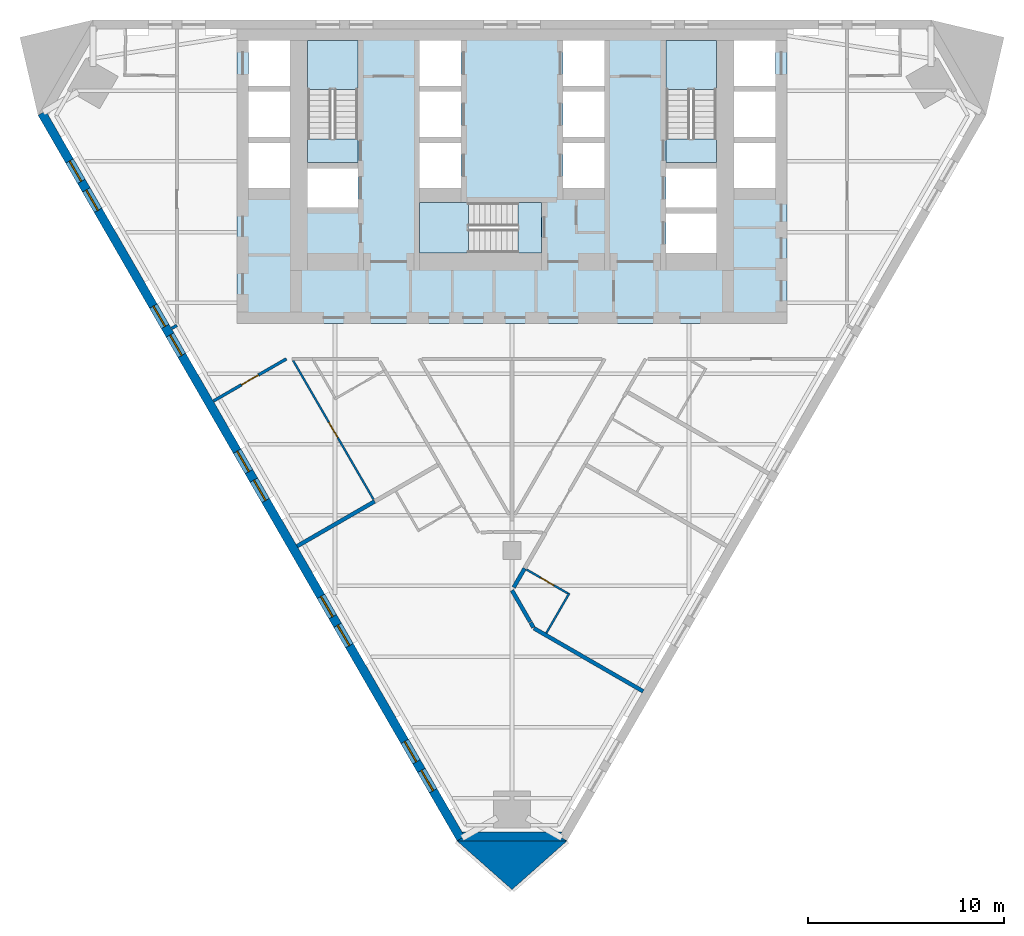
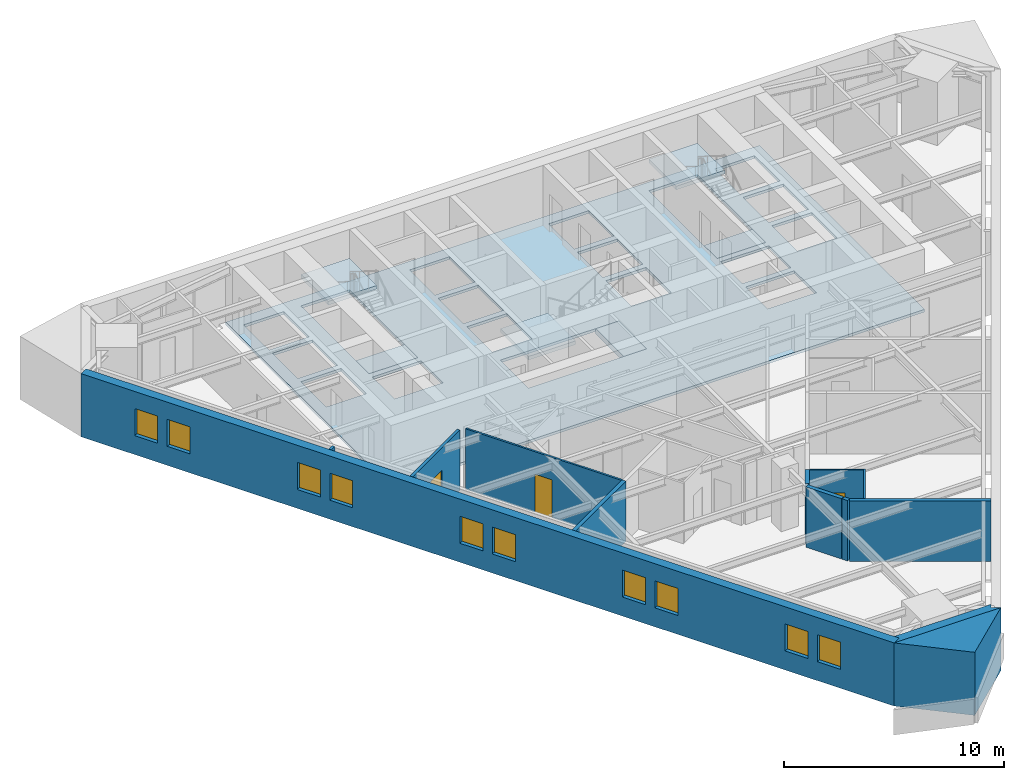
# One storey, part 2 of 9: 13 walls, 10 windows, 7 slabs, 3 doors, 13 openings, 3 elements without a shape of their own.
"""IFC4 building model written with IfcOpenShell, lengths in metres."""

from ifc_helpers import new_model, si_unit, direction, frame, frame_2d, origin, place, context, subcontext, project, spatial, polyline, rectangle, outline, extrude, material, layer, layer_set, type_object, element, fill, aggregate, save


model = new_model("IFC4")

# Units and contexts
model_context = context("Model", 3, precision=1e-05, world=origin(), true_north=direction((0.0, 1.0)))
body_context = subcontext(model_context, "Body", "Model", "MODEL_VIEW")
ifc_project = project(units=[si_unit("LENGTHUNIT", "METRE"), si_unit("AREAUNIT", "SQUARE_METRE"), si_unit("VOLUMEUNIT", "CUBIC_METRE"), si_unit("PLANEANGLEUNIT", "RADIAN"), si_unit("MASSUNIT", "GRAM", prefix="KILO")], contexts=[model_context])

# Site, building, storey
site_placement = place(None, origin())
site = spatial("IfcSite", under=ifc_project, at=site_placement, CompositionType="ELEMENT")
building_placement = place(site_placement, origin())
building = spatial("IfcBuilding", under=site, at=building_placement, Name="Aloe Facet Convention Tower", CompositionType="ELEMENT")
storey_placement = place(building_placement, frame((0.0, 0.0, 106.300048828125)))
storey = spatial("IfcBuildingStorey", under=building, at=storey_placement, Name="L26", CompositionType="ELEMENT", Elevation=106.300048828125)

# Slabs
ifc_material_1 = material(Name="Concrete C70/85", Category="concrete")
ifc_layer_1 = layer(ifc_material_1, 0.14990234375)
ifc_layer_set_1 = layer_set([ifc_layer_1], Name="CR-S-FLOOR150-C7085")
slab_type_1 = type_object("IfcSlabType", Name="CR-S-FLOOR150-C7085", PredefinedType="FLOOR", material=ifc_layer_set_1)
slab_1_placement = place(storey_placement, frame((0.0, 0.0, -0.150146484375)))
element("IfcSlab", 1, at=slab_1_placement, inside=storey, type_object=slab_type_1, Name="Core floor L26", PredefinedType="FLOOR", context=body_context, shape_type="SweptSolid", body=[
    extrude(outline(polyline([(69.300048828125, 134.550048828125), (71.85009765625, 134.550048828125), (72.75, 134.550048828125), (74.699951171875, 134.550048828125), (75.60009765625, 134.550048828125), (77.10009765625, 134.550048828125), (78.0, 134.550048828125), (82.0, 134.550048828125), (82.89990234375, 134.550048828125), (84.39990234375, 134.550048828125), (85.300048828125, 134.550048828125), (87.25, 134.550048828125), (88.14990234375, 134.550048828125), (90.699951171875, 134.550048828125), (91.0, 134.550048828125), (94.0, 134.550048828125), (94.0, 131.949951171875), (94.0, 131.050048828125), (94.0, 129.35009765625), (94.0, 128.449951171875), (94.0, 126.449951171875), (94.0, 125.85009765625), (94.0, 124.949951171875), (94.0, 123.89990234375), (94.0, 122.871337890625), (94.0, 121.821533203125), (94.0, 119.550048828125), (91.300048828125, 119.550048828125), (90.699951171875, 119.550048828125), (87.89990234375, 119.550048828125), (86.85009765625, 119.550048828125), (85.699951171875, 119.550048828125), (84.64990234375, 119.550048828125), (83.699951171875, 119.550048828125), (82.64990234375, 119.550048828125), (81.75, 119.550048828125), (80.699951171875, 119.550048828125), (79.61669921875, 119.550048828125), (78.566650390625, 119.550048828125), (77.4833984375, 119.550048828125), (76.433349609375, 119.550048828125), (75.35009765625, 119.550048828125), (74.300048828125, 119.550048828125), (73.14990234375, 119.550048828125), (72.10009765625, 119.550048828125), (69.300048828125, 119.550048828125), (68.699951171875, 119.550048828125), (66.0, 119.550048828125), (66.0, 122.523681640625), (66.0, 123.57373046875), (66.0, 125.85009765625), (66.0, 126.449951171875), (66.0, 128.449951171875), (66.0, 129.35009765625), (66.0, 131.050048828125), (66.0, 131.949951171875), (66.0, 134.550048828125), (69.0, 134.550048828125), (69.300048828125, 134.550048828125)]), holes=[polyline([(75.300048828125, 123.14990234375), (80.298828125, 123.14990234375), (81.5, 123.14990234375), (81.5, 125.699951171875), (80.298828125, 125.699951171875), (75.300048828125, 125.699951171875), (75.300048828125, 123.14990234375)]), polyline([(69.60009765625, 125.449951171875), (72.14990234375, 125.449951171875), (72.14990234375, 127.449951171875), (69.60009765625, 127.449951171875), (69.60009765625, 125.449951171875)]), polyline([(66.60009765625, 126.449951171875), (68.699951171875, 126.449951171875), (68.699951171875, 128.75), (66.60009765625, 128.75), (66.60009765625, 126.449951171875)]), polyline([(75.300048828125, 126.449951171875), (77.39990234375, 126.449951171875), (77.39990234375, 128.75), (75.300048828125, 128.75), (75.300048828125, 126.449951171875)]), polyline([(66.60009765625, 129.050048828125), (68.699951171875, 129.050048828125), (68.699951171875, 131.35009765625), (66.60009765625, 131.35009765625), (66.60009765625, 129.050048828125)]), polyline([(75.300048828125, 129.050048828125), (77.39990234375, 129.050048828125), (77.39990234375, 131.35009765625), (75.300048828125, 131.35009765625), (75.300048828125, 129.050048828125)]), polyline([(69.60009765625, 133.949951171875), (69.60009765625, 128.951171875), (69.60009765625, 127.75), (72.14990234375, 127.75), (72.14990234375, 128.951171875), (72.14990234375, 133.949951171875), (69.60009765625, 133.949951171875)]), polyline([(66.60009765625, 133.949951171875), (66.60009765625, 131.64990234375), (68.699951171875, 131.64990234375), (68.699951171875, 133.949951171875), (66.60009765625, 133.949951171875)]), polyline([(75.300048828125, 133.949951171875), (75.300048828125, 131.64990234375), (77.39990234375, 131.64990234375), (77.39990234375, 133.949951171875), (75.300048828125, 133.949951171875)]), polyline([(87.85009765625, 123.14990234375), (90.39990234375, 123.14990234375), (90.39990234375, 125.14990234375), (87.85009765625, 125.14990234375), (87.85009765625, 123.14990234375)]), polyline([(87.85009765625, 125.449951171875), (90.39990234375, 125.449951171875), (90.39990234375, 127.449951171875), (87.85009765625, 127.449951171875), (87.85009765625, 125.449951171875)]), polyline([(82.60009765625, 126.449951171875), (84.699951171875, 126.449951171875), (84.699951171875, 128.75), (82.60009765625, 128.75), (82.60009765625, 126.449951171875)]), polyline([(91.300048828125, 126.449951171875), (93.39990234375, 126.449951171875), (93.39990234375, 128.75), (91.300048828125, 128.75), (91.300048828125, 126.449951171875)]), polyline([(82.60009765625, 129.050048828125), (84.699951171875, 129.050048828125), (84.699951171875, 131.35009765625), (82.60009765625, 131.35009765625), (82.60009765625, 129.050048828125)]), polyline([(91.300048828125, 129.050048828125), (93.39990234375, 129.050048828125), (93.39990234375, 131.35009765625), (91.300048828125, 131.35009765625), (91.300048828125, 129.050048828125)]), polyline([(87.85009765625, 133.949951171875), (87.85009765625, 128.951171875), (87.85009765625, 127.75), (90.39990234375, 127.75), (90.39990234375, 128.951171875), (90.39990234375, 133.949951171875), (87.85009765625, 133.949951171875)]), polyline([(82.60009765625, 133.949951171875), (82.60009765625, 131.64990234375), (84.699951171875, 131.64990234375), (84.699951171875, 133.949951171875), (82.60009765625, 133.949951171875)]), polyline([(91.300048828125, 133.949951171875), (91.300048828125, 131.64990234375), (93.39990234375, 131.64990234375), (93.39990234375, 133.949951171875), (91.300048828125, 133.949951171875)])]), origin(), (0.0, 0.0, 1.0), 0.150146484375),
])
ifc_material_2 = material(Name="Concrete C70/85", Category="concrete")
ifc_layer_2 = layer(ifc_material_2, 0.300048828125)
ifc_layer_set_2 = layer_set([ifc_layer_2], Name="CR-S-FLOOR300-C7085")
slab_type_2 = type_object("IfcSlabType", Name="CR-S-FLOOR300-C7085", PredefinedType="FLOOR", material=ifc_layer_set_2)
slab_2_placement = place(storey_placement, frame((0.0, 0.0, -0.300048828125)))
element("IfcSlab", 2, at=slab_2_placement, inside=storey, type_object=slab_type_2, Name="Stair landing floor L26", PredefinedType="FLOOR", context=body_context, shape_type="SweptSolid", body=[
    extrude(outline(polyline([(72.14990234375, 127.75), (72.14990234375, 128.951171875), (69.60009765625, 128.951171875), (69.60009765625, 127.75), (72.14990234375, 127.75)])), origin(), (0.0, 0.0, 1.0), 0.300048828125),
])
slab_3_placement = place(storey_placement, frame((0.0, 0.0, -0.300048828125)))
element("IfcSlab", 3, at=slab_3_placement, inside=storey, type_object=slab_type_2, Name="Stair landing floor L26", PredefinedType="FLOOR", context=body_context, shape_type="SweptSolid", body=[
    extrude(outline(polyline([(90.39990234375, 127.75), (90.39990234375, 128.951171875), (87.85009765625, 128.951171875), (87.85009765625, 127.75), (90.39990234375, 127.75)])), origin(), (0.0, 0.0, 1.0), 0.300048828125),
])
slab_4_placement = place(storey_placement, frame((0.0, 0.0, -0.300048828125)))
element("IfcSlab", 4, at=slab_4_placement, inside=storey, type_object=slab_type_2, Name="Stair landing floor L26", PredefinedType="FLOOR", context=body_context, shape_type="SweptSolid", body=[
    extrude(outline(polyline([(81.5, 125.699951171875), (80.298828125, 125.699951171875), (80.298828125, 123.14990234375), (81.5, 123.14990234375), (81.5, 125.699951171875)])), origin(), (0.0, 0.0, 1.0), 0.300048828125),
])

# Stair, slab
ifc_material_3 = material(Name="Concrete C50/60", Category="concrete")
stair_type = type_object("IfcStairType", Name="CR-ST-20R", PredefinedType="HALF_TURN_STAIR", material=ifc_material_3)
stair_1_placement = place(storey_placement, origin())
stair_1 = element("IfcStair", 5, at=stair_1_placement, inside=storey, type_object=stair_type, Name="L26 Protected exit stair ST1", PredefinedType="HALF_TURN_STAIR")
ifc_material_4 = material(Name="Concrete C50/60", Category="concrete")
ifc_layer_3 = layer(ifc_material_4, 0.199951171875)
ifc_layer_set_3 = layer_set([ifc_layer_3], Name="CR-SL-LANDING")
slab_type_3 = type_object("IfcSlabType", Name="CR-SL-LANDING", PredefinedType="LANDING", material=ifc_layer_set_3)
slab_5_placement = place(storey_placement, frame((0.0, 0.0, 1.550048828125)))
slab_5 = element("IfcSlab", 6, at=slab_5_placement, type_object=slab_type_3, Name="ST1 landing 1", PredefinedType="LANDING", context=body_context, shape_type="SweptSolid", body=[
    extrude(outline(polyline([(72.14990234375, 131.469970703125), (72.14990234375, 133.949951171875), (69.60009765625, 133.949951171875), (69.60009765625, 131.469970703125), (72.14990234375, 131.469970703125)])), origin(), (0.0, 0.0, 1.0), 0.199951171875),
])
aggregate(stair_1, [slab_5])

stair_2_placement = place(storey_placement, origin())
stair_2 = element("IfcStair", 7, at=stair_2_placement, inside=storey, type_object=stair_type, Name="L26 Protected exit stair ST2", PredefinedType="HALF_TURN_STAIR")
slab_6_placement = place(storey_placement, frame((0.0, 0.0, 1.550048828125)))
slab_6 = element("IfcSlab", 8, at=slab_6_placement, type_object=slab_type_3, Name="ST2 landing 1", PredefinedType="LANDING", context=body_context, shape_type="SweptSolid", body=[
    extrude(outline(polyline([(90.39990234375, 131.469970703125), (90.39990234375, 133.949951171875), (87.85009765625, 133.949951171875), (87.85009765625, 131.469970703125), (90.39990234375, 131.469970703125)])), origin(), (0.0, 0.0, 1.0), 0.199951171875),
])
aggregate(stair_2, [slab_6])

stair_3_placement = place(storey_placement, origin())
stair_3 = element("IfcStair", 9, at=stair_3_placement, inside=storey, type_object=stair_type, Name="L26 Protected exit stair ST3", PredefinedType="HALF_TURN_STAIR")
slab_7_placement = place(storey_placement, frame((0.0, 0.0, 1.550048828125)))
slab_7 = element("IfcSlab", 10, at=slab_7_placement, type_object=slab_type_3, Name="ST3 landing 1", PredefinedType="LANDING", context=body_context, shape_type="SweptSolid", body=[
    extrude(outline(polyline([(77.780029296875, 125.699951171875), (75.300048828125, 125.699951171875), (75.300048828125, 123.14990234375), (77.780029296875, 123.14990234375), (77.780029296875, 125.699951171875)])), origin(), (0.0, 0.0, 1.0), 0.199951171875),
])
aggregate(stair_3, [slab_7])

# Walls
ifc_material_5 = material(Name="Precast concrete C40/50", Category="concrete")
ifc_layer_4 = layer(ifc_material_5, 0.449951171875)
ifc_layer_set_4 = layer_set([ifc_layer_4], Name="EV-WALL-PIER")
wall_type_1 = type_object("IfcWallType", Name="EV-WALL-PIER", PredefinedType="SOLIDWALL", material=ifc_layer_set_4)
wall_1_placement = place(storey_placement, frame((0.0, 0.0, -0.150146484375)))
element("IfcWall", 11, at=wall_1_placement, inside=storey, type_object=wall_type_1, Name="EP-L26-B", PredefinedType="SOLIDWALL", context=body_context, shape_type="SweptSolid", body=[
    extrude(outline(polyline([(77.199951171875, 93.22021484375), (77.589599609375, 93.4453125), (77.459716796875, 93.670166015625), (82.540283203125, 93.670166015625), (82.410400390625, 93.4453125), (82.800048828125, 93.22021484375), (77.199951171875, 93.22021484375)])), origin(), (0.0, 0.0, 1.0), 3.5),
])
ifc_material_6 = material(Name="Precast concrete C40/50", Category="concrete")
ifc_layer_5 = layer(ifc_material_6, 3.947998046875)
ifc_layer_set_5 = layer_set([ifc_layer_5], Name="EV-WALL-SPINE")
wall_type_2 = type_object("IfcWallType", Name="EV-WALL-SPINE", PredefinedType="SOLIDWALL", material=ifc_layer_set_5)
wall_2_placement = place(storey_placement, frame((0.0, 0.0, -0.150146484375)))
element("IfcWall", 12, at=wall_2_placement, inside=storey, type_object=wall_type_2, Name="SP-S-L26", PredefinedType="SOLIDWALL", context=body_context, shape_type="SweptSolid", body=[
    extrude(outline(polyline([(77.199951171875, 93.22021484375), (80.0, 90.74072265625), (82.800048828125, 93.22021484375), (77.199951171875, 93.22021484375)])), origin(), (0.0, 0.0, 1.0), 3.5),
])

# Wall, openings, windows
ifc_material_7 = material(Name="Precast concrete C40/50", Category="concrete")
ifc_layer_6 = layer(ifc_material_7, 0.449951171875)
ifc_layer_set_6 = layer_set([ifc_layer_6], Name="EV-WALL-STONE")
wall_type_3 = type_object("IfcWallType", Name="EV-WALL-STONE", PredefinedType="SOLIDWALL", material=ifc_layer_set_6)
wall_3_placement = place(storey_placement, frame((56.0732421875, 130.2626953125, -0.150146484375), z_axis=(0.0, 0.0, 1.0), x_axis=(0.500000478905, -0.866025127289, 0.0)))
wall_3 = element("IfcWall", 13, at=wall_3_placement, inside=storey, type_object=wall_type_3, Name="EW-L26-W01", PredefinedType="SOLIDWALL", context=body_context, shape_type="SweptSolid", body=[
    extrude(outline(polyline([(42.64306640625, 0.0), (42.64306640625, 3.5), (0.0, 3.5), (0.0, 0.0), (42.64306640625, 0.0)])), frame((0.0, 0.22509765625, 0.0), z_axis=(0.0, -1.0, 0.0), x_axis=(1.0, 0.0, 0.0)), (0.0, 0.0, 1.0), 0.449951171875),
])
opening_1_placement = place(wall_3_placement, frame((2.814208984375, 0.0, 1.050048828125)))
opening_1 = element("IfcOpeningElement", 14, at=opening_1_placement, cuts=wall_3, Name="Opening W-L26-W01", PredefinedType="OPENING", context=body_context, shape_type="SweptSolid", body=[
    extrude(rectangle(XDim=1.199951171875, YDim=1.5, at=frame_2d((0.60009765625, 0.75))), frame((0.0, 0.23486328125, 0.0), z_axis=(0.0, -1.0, 0.0), x_axis=(1.0, 0.0, 0.0)), (0.0, 0.0, 1.0), 0.469970703125),
])
opening_2_placement = place(wall_3_placement, frame((4.514404296875, 0.0, 1.050048828125)))
opening_2 = element("IfcOpeningElement", 15, at=opening_2_placement, cuts=wall_3, Name="Opening W-L26-W02", PredefinedType="OPENING", context=body_context, shape_type="SweptSolid", body=[
    extrude(rectangle(XDim=1.199951171875, YDim=1.5, at=frame_2d((0.60009765625, 0.75))), frame((0.0, 0.23486328125, 0.0), z_axis=(0.0, -1.0, 0.0), x_axis=(1.0, 0.0, 0.0)), (0.0, 0.0, 1.0), 0.469970703125),
])
opening_3_placement = place(wall_3_placement, frame((11.343017578125, 0.0, 1.050048828125)))
opening_3 = element("IfcOpeningElement", 16, at=opening_3_placement, cuts=wall_3, Name="Opening W-L26-W03", PredefinedType="OPENING", context=body_context, shape_type="SweptSolid", body=[
    extrude(rectangle(XDim=1.199951171875, YDim=1.5, at=frame_2d((0.60009765625, 0.75))), frame((0.0, 0.23486328125, 0.0), z_axis=(0.0, -1.0, 0.0), x_axis=(1.0, 0.0, 0.0)), (0.0, 0.0, 1.0), 0.469970703125),
])
opening_4_placement = place(wall_3_placement, frame((13.04296875, 0.0, 1.050048828125)))
opening_4 = element("IfcOpeningElement", 17, at=opening_4_placement, cuts=wall_3, Name="Opening W-L26-W04", PredefinedType="OPENING", context=body_context, shape_type="SweptSolid", body=[
    extrude(rectangle(XDim=1.199951171875, YDim=1.5, at=frame_2d((0.60009765625, 0.75))), frame((0.0, 0.23486328125, 0.0), z_axis=(0.0, -1.0, 0.0), x_axis=(1.0, 0.0, 0.0)), (0.0, 0.0, 1.0), 0.469970703125),
])
opening_5_placement = place(wall_3_placement, frame((19.87158203125, 0.0, 1.050048828125)))
opening_5 = element("IfcOpeningElement", 18, at=opening_5_placement, cuts=wall_3, Name="Opening W-L26-W05", PredefinedType="OPENING", context=body_context, shape_type="SweptSolid", body=[
    extrude(rectangle(XDim=1.199951171875, YDim=1.5, at=frame_2d((0.60009765625, 0.75))), frame((0.0, 0.23486328125, 0.0), z_axis=(0.0, -1.0, 0.0), x_axis=(1.0, 0.0, 0.0)), (0.0, 0.0, 1.0), 0.469970703125),
])
opening_6_placement = place(wall_3_placement, frame((21.571533203125, 0.0, 1.050048828125)))
opening_6 = element("IfcOpeningElement", 19, at=opening_6_placement, cuts=wall_3, Name="Opening W-L26-W06", PredefinedType="OPENING", context=body_context, shape_type="SweptSolid", body=[
    extrude(rectangle(XDim=1.199951171875, YDim=1.5, at=frame_2d((0.60009765625, 0.75))), frame((0.0, 0.23486328125, 0.0), z_axis=(0.0, -1.0, 0.0), x_axis=(1.0, 0.0, 0.0)), (0.0, 0.0, 1.0), 0.469970703125),
])
opening_7_placement = place(wall_3_placement, frame((28.400146484375, 0.0, 1.050048828125)))
opening_7 = element("IfcOpeningElement", 20, at=opening_7_placement, cuts=wall_3, Name="Opening W-L26-W07", PredefinedType="OPENING", context=body_context, shape_type="SweptSolid", body=[
    extrude(rectangle(XDim=1.199951171875, YDim=1.5, at=frame_2d((0.60009765625, 0.75))), frame((0.0, 0.23486328125, 0.0), z_axis=(0.0, -1.0, 0.0), x_axis=(1.0, 0.0, 0.0)), (0.0, 0.0, 1.0), 0.469970703125),
])
opening_8_placement = place(wall_3_placement, frame((30.10009765625, 0.0, 1.050048828125)))
opening_8 = element("IfcOpeningElement", 21, at=opening_8_placement, cuts=wall_3, Name="Opening W-L26-W08", PredefinedType="OPENING", context=body_context, shape_type="SweptSolid", body=[
    extrude(rectangle(XDim=1.199951171875, YDim=1.5, at=frame_2d((0.60009765625, 0.75))), frame((0.0, 0.23486328125, 0.0), z_axis=(0.0, -1.0, 0.0), x_axis=(1.0, 0.0, 0.0)), (0.0, 0.0, 1.0), 0.469970703125),
])
opening_9_placement = place(wall_3_placement, frame((36.9287109375, 0.0, 1.050048828125)))
opening_9 = element("IfcOpeningElement", 22, at=opening_9_placement, cuts=wall_3, Name="Opening W-L26-W09", PredefinedType="OPENING", context=body_context, shape_type="SweptSolid", body=[
    extrude(rectangle(XDim=1.199951171875, YDim=1.5, at=frame_2d((0.60009765625, 0.75))), frame((0.0, 0.23486328125, 0.0), z_axis=(0.0, -1.0, 0.0), x_axis=(1.0, 0.0, 0.0)), (0.0, 0.0, 1.0), 0.469970703125),
])
opening_10_placement = place(wall_3_placement, frame((38.628662109375, 0.0, 1.050048828125)))
opening_10 = element("IfcOpeningElement", 23, at=opening_10_placement, cuts=wall_3, Name="Opening W-L26-W10", PredefinedType="OPENING", context=body_context, shape_type="SweptSolid", body=[
    extrude(rectangle(XDim=1.199951171875, YDim=1.5, at=frame_2d((0.60009765625, 0.75))), frame((0.0, 0.23486328125, 0.0), z_axis=(0.0, -1.0, 0.0), x_axis=(1.0, 0.0, 0.0)), (0.0, 0.0, 1.0), 0.469970703125),
])
ifc_material_8 = material(Name="Aluminium frame, clear double glazing", Category="aluminium")
window_type = type_object("IfcWindowType", Name="EV-WIN-H12", PartitioningType="SINGLE_PANEL", PredefinedType="WINDOW", material=ifc_material_8)
window_1_placement = place(opening_1_placement, origin())
window_1 = element("IfcWindow", 24, at=window_1_placement, inside=storey, type_object=window_type, Name="W-L26-W01", OverallHeight=1.5, OverallWidth=1.199951171875, PartitioningType="SINGLE_PANEL", PredefinedType="WINDOW", context=body_context, shape_type="SweptSolid", body=[
    extrude(rectangle(XDim=1.199951171875, YDim=1.5, at=frame_2d((0.60009765625, 0.75))), frame((0.0, 0.030029296875, 0.0), z_axis=(0.0, -1.0, 0.0), x_axis=(1.0, 0.0, 0.0)), (0.0, 0.0, 1.0), 0.06005859375),
])
fill(opening_1, window_1)
window_2_placement = place(opening_2_placement, origin())
window_2 = element("IfcWindow", 25, at=window_2_placement, inside=storey, type_object=window_type, Name="W-L26-W02", OverallHeight=1.5, OverallWidth=1.199951171875, PartitioningType="SINGLE_PANEL", PredefinedType="WINDOW", context=body_context, shape_type="SweptSolid", body=[
    extrude(rectangle(XDim=1.199951171875, YDim=1.5, at=frame_2d((0.60009765625, 0.75))), frame((0.0, 0.030029296875, 0.0), z_axis=(0.0, -1.0, 0.0), x_axis=(1.0, 0.0, 0.0)), (0.0, 0.0, 1.0), 0.06005859375),
])
fill(opening_2, window_2)
window_3_placement = place(opening_3_placement, origin())
window_3 = element("IfcWindow", 26, at=window_3_placement, inside=storey, type_object=window_type, Name="W-L26-W03", OverallHeight=1.5, OverallWidth=1.199951171875, PartitioningType="SINGLE_PANEL", PredefinedType="WINDOW", context=body_context, shape_type="SweptSolid", body=[
    extrude(rectangle(XDim=1.199951171875, YDim=1.5, at=frame_2d((0.60009765625, 0.75))), frame((0.0, 0.030029296875, 0.0), z_axis=(0.0, -1.0, 0.0), x_axis=(1.0, 0.0, 0.0)), (0.0, 0.0, 1.0), 0.06005859375),
])
fill(opening_3, window_3)
window_4_placement = place(opening_4_placement, origin())
window_4 = element("IfcWindow", 27, at=window_4_placement, inside=storey, type_object=window_type, Name="W-L26-W04", OverallHeight=1.5, OverallWidth=1.199951171875, PartitioningType="SINGLE_PANEL", PredefinedType="WINDOW", context=body_context, shape_type="SweptSolid", body=[
    extrude(rectangle(XDim=1.199951171875, YDim=1.5, at=frame_2d((0.60009765625, 0.75))), frame((0.0, 0.030029296875, 0.0), z_axis=(0.0, -1.0, 0.0), x_axis=(1.0, 0.0, 0.0)), (0.0, 0.0, 1.0), 0.06005859375),
])
fill(opening_4, window_4)
window_5_placement = place(opening_5_placement, origin())
window_5 = element("IfcWindow", 28, at=window_5_placement, inside=storey, type_object=window_type, Name="W-L26-W05", OverallHeight=1.5, OverallWidth=1.199951171875, PartitioningType="SINGLE_PANEL", PredefinedType="WINDOW", context=body_context, shape_type="SweptSolid", body=[
    extrude(rectangle(XDim=1.199951171875, YDim=1.5, at=frame_2d((0.60009765625, 0.75))), frame((0.0, 0.030029296875, 0.0), z_axis=(0.0, -1.0, 0.0), x_axis=(1.0, 0.0, 0.0)), (0.0, 0.0, 1.0), 0.06005859375),
])
fill(opening_5, window_5)
window_6_placement = place(opening_6_placement, origin())
window_6 = element("IfcWindow", 29, at=window_6_placement, inside=storey, type_object=window_type, Name="W-L26-W06", OverallHeight=1.5, OverallWidth=1.199951171875, PartitioningType="SINGLE_PANEL", PredefinedType="WINDOW", context=body_context, shape_type="SweptSolid", body=[
    extrude(rectangle(XDim=1.199951171875, YDim=1.5, at=frame_2d((0.60009765625, 0.75))), frame((0.0, 0.030029296875, 0.0), z_axis=(0.0, -1.0, 0.0), x_axis=(1.0, 0.0, 0.0)), (0.0, 0.0, 1.0), 0.06005859375),
])
fill(opening_6, window_6)
window_7_placement = place(opening_7_placement, origin())
window_7 = element("IfcWindow", 30, at=window_7_placement, inside=storey, type_object=window_type, Name="W-L26-W07", OverallHeight=1.5, OverallWidth=1.199951171875, PartitioningType="SINGLE_PANEL", PredefinedType="WINDOW", context=body_context, shape_type="SweptSolid", body=[
    extrude(rectangle(XDim=1.199951171875, YDim=1.5, at=frame_2d((0.60009765625, 0.75))), frame((0.0, 0.030029296875, 0.0), z_axis=(0.0, -1.0, 0.0), x_axis=(1.0, 0.0, 0.0)), (0.0, 0.0, 1.0), 0.06005859375),
])
fill(opening_7, window_7)
window_8_placement = place(opening_8_placement, origin())
window_8 = element("IfcWindow", 31, at=window_8_placement, inside=storey, type_object=window_type, Name="W-L26-W08", OverallHeight=1.5, OverallWidth=1.199951171875, PartitioningType="SINGLE_PANEL", PredefinedType="WINDOW", context=body_context, shape_type="SweptSolid", body=[
    extrude(rectangle(XDim=1.199951171875, YDim=1.5, at=frame_2d((0.60009765625, 0.75))), frame((0.0, 0.030029296875, 0.0), z_axis=(0.0, -1.0, 0.0), x_axis=(1.0, 0.0, 0.0)), (0.0, 0.0, 1.0), 0.06005859375),
])
fill(opening_8, window_8)
window_9_placement = place(opening_9_placement, origin())
window_9 = element("IfcWindow", 32, at=window_9_placement, inside=storey, type_object=window_type, Name="W-L26-W09", OverallHeight=1.5, OverallWidth=1.199951171875, PartitioningType="SINGLE_PANEL", PredefinedType="WINDOW", context=body_context, shape_type="SweptSolid", body=[
    extrude(rectangle(XDim=1.199951171875, YDim=1.5, at=frame_2d((0.60009765625, 0.75))), frame((0.0, 0.030029296875, 0.0), z_axis=(0.0, -1.0, 0.0), x_axis=(1.0, 0.0, 0.0)), (0.0, 0.0, 1.0), 0.06005859375),
])
fill(opening_9, window_9)
window_10_placement = place(opening_10_placement, origin())
window_10 = element("IfcWindow", 33, at=window_10_placement, inside=storey, type_object=window_type, Name="W-L26-W10", OverallHeight=1.5, OverallWidth=1.199951171875, PartitioningType="SINGLE_PANEL", PredefinedType="WINDOW", context=body_context, shape_type="SweptSolid", body=[
    extrude(rectangle(XDim=1.199951171875, YDim=1.5, at=frame_2d((0.60009765625, 0.75))), frame((0.0, 0.030029296875, 0.0), z_axis=(0.0, -1.0, 0.0), x_axis=(1.0, 0.0, 0.0)), (0.0, 0.0, 1.0), 0.06005859375),
])
fill(opening_10, window_10)

# Wall, opening, door
ifc_material_9 = material(Name="Gypsum board partition on steel studs", Category="steel")
ifc_layer_7 = layer(ifc_material_9, 0.14990234375)
ifc_layer_set_7 = layer_set([ifc_layer_7], Name="IN-W-CORR")
wall_type_4 = type_object("IfcWallType", Name="IN-W-CORR", PredefinedType="PARTITIONING", material=ifc_layer_set_7)
wall_4_placement = place(storey_placement, frame((64.805419921875, 115.608154296875, 0.0), z_axis=(0.0, 0.0, 1.0), x_axis=(0.86602138947, 0.500006952933, 0.0)))
wall_4 = element("IfcWall", 34, at=wall_4_placement, inside=storey, type_object=wall_type_4, Name="Partition L26-W042", PredefinedType="PARTITIONING", context=body_context, shape_type="SweptSolid", body=[
    extrude(rectangle(XDim=4.28369140625, YDim=0.14990234375, at=frame_2d((2.141845703125, 0.0))), origin(), (0.0, 0.0, 1.0), 3.349853515625),
])
opening_11_placement = place(wall_4_placement, frame((1.641845703125, 0.0, 0.0)))
opening_11 = element("IfcOpeningElement", 35, at=opening_11_placement, cuts=wall_4, Name="Opening L26-002", PredefinedType="OPENING", context=body_context, shape_type="SweptSolid", body=[
    extrude(rectangle(XDim=1.0, YDim=2.10009765625, at=frame_2d((0.5, 1.050048828125))), frame((0.0, 0.0849609375, 0.0), z_axis=(0.0, -1.0, 0.0), x_axis=(1.0, 0.0, 0.0)), (0.0, 0.0, 1.0), 0.169921875),
])
ifc_material_10 = material(Name="Hardwood flush door FD30S", Category="wood")
door_type_1 = type_object("IfcDoorType", Name="IN-D-WIDE", OperationType="SINGLE_SWING_LEFT", PredefinedType="DOOR", material=ifc_material_10)
door_1_placement = place(opening_11_placement, origin())
door_1 = element("IfcDoor", 36, at=door_1_placement, inside=storey, type_object=door_type_1, Name="Door L26-002", OperationType="SINGLE_SWING_LEFT", OverallHeight=2.10009765625, OverallWidth=1.0, PredefinedType="DOOR", context=body_context, shape_type="SweptSolid", body=[
    extrude(rectangle(XDim=1.0, YDim=2.10009765625, at=frame_2d((0.5, 1.050048828125))), frame((0.0, 0.02490234375, 0.0), z_axis=(0.0, -1.0, 0.0), x_axis=(1.0, 0.0, 0.0)), (0.0, 0.0, 1.0), 0.050048828125),
])
fill(opening_11, door_1)

# Walls
wall_5_placement = place(storey_placement, frame((62.67333984375, 119.30126953125, 0.0), z_axis=(0.0, 0.0, 1.0), x_axis=(0.866159461733, 0.499767732902, 0.0)))
element("IfcWall", 37, at=wall_5_placement, inside=storey, type_object=wall_type_4, Name="Partition L26-W055", PredefinedType="PARTITIONING", context=body_context, shape_type="SweptSolid", body=[
    extrude(rectangle(XDim=0.311279296875, YDim=0.14990234375, at=frame_2d((0.15576171875, 0.0))), origin(), (0.0, 0.0, 1.0), 3.349853515625),
])
ifc_material_11 = material(Name="Gypsum board partition on steel studs", Category="steel")
ifc_layer_8 = layer(ifc_material_11, 0.10009765625)
ifc_layer_set_8 = layer_set([ifc_layer_8], Name="IN-W-PART")
wall_type_5 = type_object("IfcWallType", Name="IN-W-PART", PredefinedType="PARTITIONING", material=ifc_layer_set_8)
wall_6_placement = place(storey_placement, frame((81.744873046875, 103.79296875, 0.0), z_axis=(0.0, 0.0, 1.0), x_axis=(0.500016218704, 0.866016039709, 0.0)))
element("IfcWall", 38, at=wall_6_placement, inside=storey, type_object=wall_type_5, Name="Partition L26-W006", PredefinedType="PARTITIONING", context=body_context, shape_type="SweptSolid", body=[
    extrude(rectangle(XDim=2.35009765625, YDim=0.10009765625, at=frame_2d((1.175048828125, 0.0))), origin(), (0.0, 0.0, 1.0), 3.349853515625),
])

# Wall, opening, door
wall_7_placement = place(storey_placement, frame((80.738525390625, 107.02978515625, 0.0), z_axis=(0.0, 0.0, 1.0), x_axis=(0.866023955769, -0.500002508028, 0.0)))
wall_7 = element("IfcWall", 39, at=wall_7_placement, inside=storey, type_object=wall_type_5, Name="Partition L26-W008", PredefinedType="PARTITIONING", context=body_context, shape_type="SweptSolid", body=[
    extrude(rectangle(XDim=2.43994140625, YDim=0.10009765625, at=frame_2d((1.219970703125, 0.0))), origin(), (0.0, 0.0, 1.0), 3.349853515625),
])
opening_12_placement = place(wall_7_placement, frame((0.820068359375, 0.0, 0.0)))
opening_12 = element("IfcOpeningElement", 40, at=opening_12_placement, cuts=wall_7, Name="Opening L26-015", PredefinedType="OPENING", context=body_context, shape_type="SweptSolid", body=[
    extrude(rectangle(XDim=0.800048828125, YDim=2.10009765625, at=frame_2d((0.39990234375, 1.050048828125))), frame((0.0, 0.06005859375, 0.0), z_axis=(0.0, -1.0, 0.0), x_axis=(1.0, 0.0, 0.0)), (0.0, 0.0, 1.0), 0.1201171875),
])
ifc_material_12 = material(Name="Timber flush door", Category="wood")
door_type_2 = type_object("IfcDoorType", Name="IN-D-BATH", OperationType="SINGLE_SWING_LEFT", PredefinedType="DOOR", material=ifc_material_12)
door_2_placement = place(opening_12_placement, origin())
door_2 = element("IfcDoor", 41, at=door_2_placement, inside=storey, type_object=door_type_2, Name="Door L26-015", OperationType="SINGLE_SWING_LEFT", OverallHeight=2.10009765625, OverallWidth=0.800048828125, PredefinedType="DOOR", context=body_context, shape_type="SweptSolid", body=[
    extrude(rectangle(XDim=0.800048828125, YDim=2.10009765625, at=frame_2d((0.39990234375, 1.050048828125))), frame((0.0, 0.02490234375, 0.0), z_axis=(0.0, -1.0, 0.0), x_axis=(1.0, 0.0, 0.0)), (0.0, 0.0, 1.0), 0.050048828125),
])
fill(opening_12, door_2)

wall_8_placement = place(storey_placement, frame((68.85888671875, 117.667724609375, 0.0), z_axis=(0.0, 0.0, 1.0), x_axis=(0.501038624871, -0.865424922444, 0.0)))
wall_8 = element("IfcWall", 42, at=wall_8_placement, inside=storey, type_object=wall_type_5, Name="Partition L26-W019", PredefinedType="PARTITIONING", context=body_context, shape_type="SweptSolid", body=[
    extrude(rectangle(XDim=8.17529296875, YDim=0.10009765625, at=frame_2d((4.087646484375, 0.0))), origin(), (0.0, 0.0, 1.0), 3.349853515625),
])
opening_13_placement = place(wall_8_placement, frame((3.6376953125, 0.0, 0.0)))
opening_13 = element("IfcOpeningElement", 43, at=opening_13_placement, cuts=wall_8, Name="Opening L26-013", PredefinedType="OPENING", context=body_context, shape_type="SweptSolid", body=[
    extrude(rectangle(XDim=0.89990234375, YDim=2.10009765625, at=frame_2d((0.449951171875, 1.050048828125))), frame((0.0, 0.06005859375, 0.0), z_axis=(0.0, -1.0, 0.0), x_axis=(1.0, 0.0, 0.0)), (0.0, 0.0, 1.0), 0.1201171875),
])
ifc_material_13 = material(Name="Timber flush door", Category="wood")
door_type_3 = type_object("IfcDoorType", Name="IN-D-INT", OperationType="SINGLE_SWING_LEFT", PredefinedType="DOOR", material=ifc_material_13)
door_3_placement = place(opening_13_placement, origin())
door_3 = element("IfcDoor", 44, at=door_3_placement, inside=storey, type_object=door_type_3, Name="Door L26-013", OperationType="SINGLE_SWING_LEFT", OverallHeight=2.10009765625, OverallWidth=0.89990234375, PredefinedType="DOOR", context=body_context, shape_type="SweptSolid", body=[
    extrude(rectangle(XDim=0.89990234375, YDim=2.10009765625, at=frame_2d((0.449951171875, 1.050048828125))), frame((0.0, 0.02490234375, 0.0), z_axis=(0.0, -1.0, 0.0), x_axis=(1.0, 0.0, 0.0)), (0.0, 0.0, 1.0), 0.050048828125),
])
fill(opening_13, door_3)

# Walls
ifc_material_14 = material(Name="Gypsum board partition on steel studs", Category="steel")
ifc_layer_9 = layer(ifc_material_14, 0.199951171875)
ifc_layer_set_9 = layer_set([ifc_layer_9], Name="IN-W-PARTY")
wall_type_6 = type_object("IfcWallType", Name="IN-W-PARTY", PredefinedType="PARTITIONING", material=ifc_layer_set_9)
wall_9_placement = place(storey_placement, frame((81.113525390625, 104.0419921875, 0.0), z_axis=(0.0, 0.0, 1.0), x_axis=(0.86602350115, -0.500003295444, 0.0)))
element("IfcWall", 45, at=wall_9_placement, inside=storey, type_object=wall_type_6, Name="Partition L26-W001", PredefinedType="PARTITIONING", context=body_context, shape_type="SweptSolid", body=[
    extrude(rectangle(XDim=6.42138671875, YDim=0.199951171875, at=frame_2d((3.210693359375, 0.0))), origin(), (0.0, 0.0, 1.0), 3.349853515625),
])
wall_10_placement = place(storey_placement, frame((80.0, 105.970458984375, 0.0), z_axis=(0.0, 0.0, 1.0), x_axis=(0.499992292652, -0.866029853578, 0.0)))
element("IfcWall", 46, at=wall_10_placement, inside=storey, type_object=wall_type_6, Name="Partition L26-W005", PredefinedType="PARTITIONING", context=body_context, shape_type="SweptSolid", body=[
    extrude(rectangle(XDim=1.853515625, YDim=0.199951171875, at=frame_2d((0.9267578125, 0.0))), origin(), (0.0, 0.0, 1.0), 3.349853515625),
])
wall_11_placement = place(storey_placement, frame((80.086669921875, 106.12060546875, 0.0), z_axis=(0.0, 0.0, 1.0), x_axis=(0.500007201891, 0.866021245731, 0.0)))
element("IfcWall", 47, at=wall_11_placement, inside=storey, type_object=wall_type_6, Name="Partition L26-W007", PredefinedType="PARTITIONING", context=body_context, shape_type="SweptSolid", body=[
    extrude(rectangle(XDim=1.11328125, YDim=0.199951171875, at=frame_2d((0.556640625, 0.0))), origin(), (0.0, 0.0, 1.0), 3.349853515625),
])
wall_12_placement = place(storey_placement, frame((69.06103515625, 108.21728515625, 0.0), z_axis=(0.0, 0.0, 1.0), x_axis=(0.866030456496, 0.499991248344, 0.0)))
element("IfcWall", 48, at=wall_12_placement, inside=storey, type_object=wall_type_6, Name="Partition L26-W009", PredefinedType="PARTITIONING", context=body_context, shape_type="SweptSolid", body=[
    extrude(rectangle(XDim=4.56005859375, YDim=0.199951171875, at=frame_2d((2.280029296875, 0.0))), origin(), (0.0, 0.0, 1.0), 3.349853515625),
])
wall_13_placement = place(storey_placement, frame((80.94677734375, 104.33056640625, 0.0), z_axis=(0.0, 0.0, 1.0), x_axis=(0.500164219654, -0.865930570761, 0.0)))
element("IfcWall", 49, at=wall_13_placement, inside=storey, type_object=wall_type_6, Name="Partition L26-W069", PredefinedType="PARTITIONING", context=body_context, shape_type="SweptSolid", body=[
    extrude(rectangle(XDim=0.287109375, YDim=0.199951171875, at=frame_2d((0.1435546875, 0.0))), origin(), (0.0, 0.0, 1.0), 3.349853515625),
])

save(model, "model.ifc")
